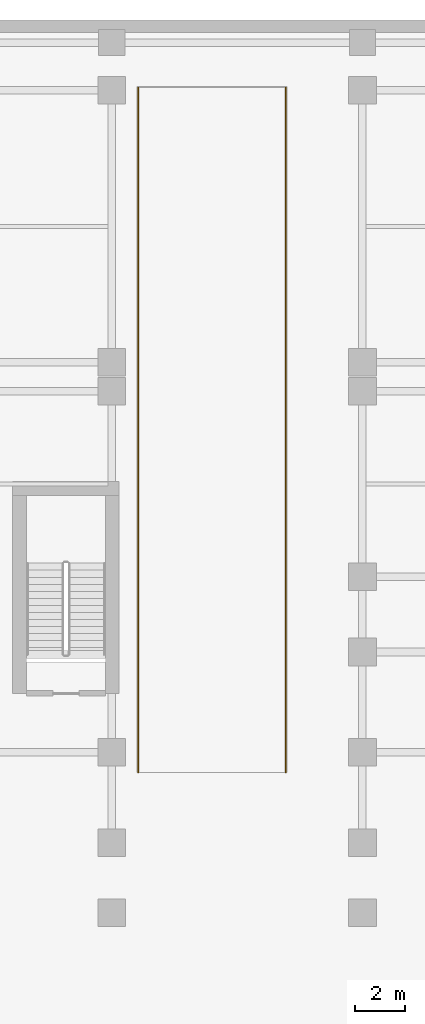
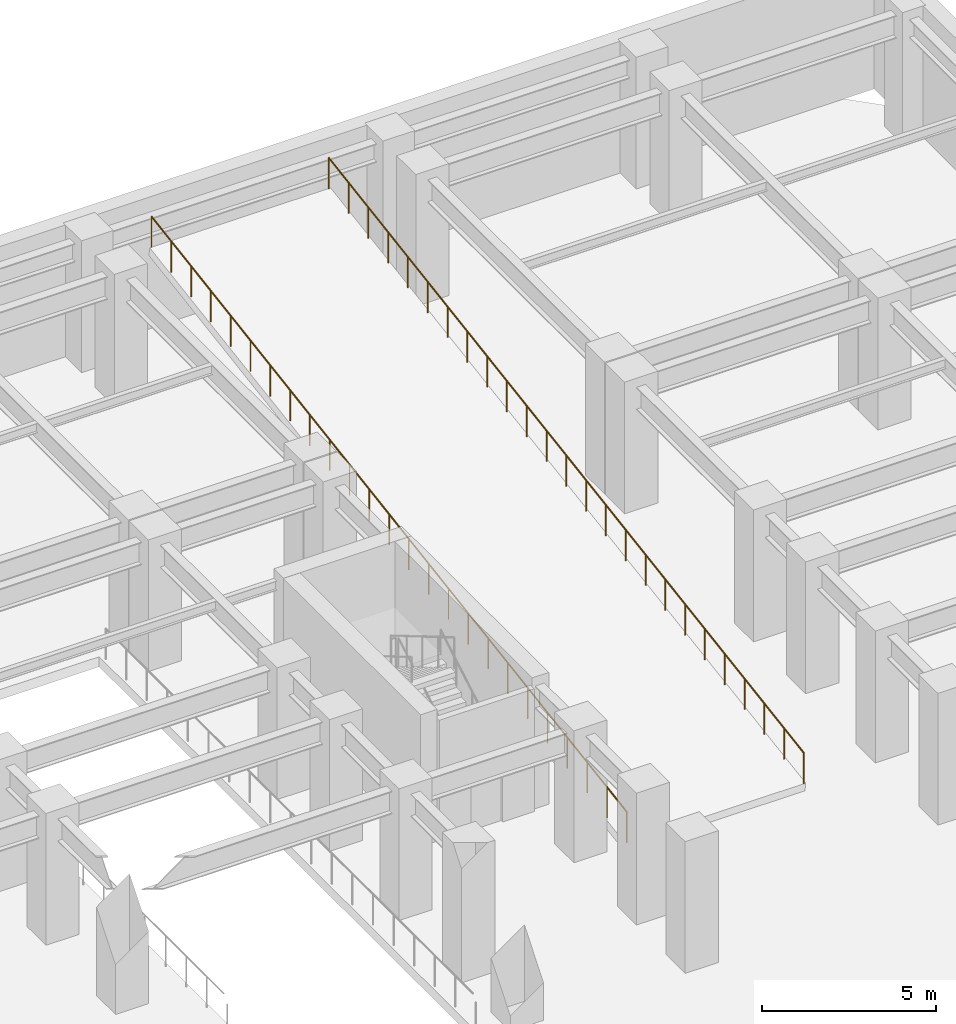
# One storey, part 12 of 12: 2 railings.
"""IFC4 building model written with IfcOpenShell, lengths in metres."""

from ifc_helpers import new_model, si_unit, direction, frame, origin, origin_2d, place, context, subcontext, project, spatial, circle, extrude, material, type_object, element, save


model = new_model("IFC4")

# Units and contexts
model_context = context("Model", 3, precision=1e-05, world=origin(), true_north=direction((0.0, 1.0)))
body_context = subcontext(model_context, "Body", "Model", "MODEL_VIEW")
ifc_project = project(units=[si_unit("LENGTHUNIT", "METRE"), si_unit("AREAUNIT", "SQUARE_METRE"), si_unit("VOLUMEUNIT", "CUBIC_METRE"), si_unit("PLANEANGLEUNIT", "RADIAN"), si_unit("MASSUNIT", "GRAM", prefix="KILO")], contexts=[model_context])

# Site, building, storey
site_placement = place(None, origin())
site = spatial("IfcSite", under=ifc_project, at=site_placement, CompositionType="ELEMENT")
building_placement = place(site_placement, origin())
building = spatial("IfcBuilding", under=site, at=building_placement, Name="Kefirva Bronze Tower", CompositionType="ELEMENT")
storey_placement = place(building_placement, frame((0.0, 0.0, -4.6201171875)))
storey = spatial("IfcBuildingStorey", under=building, at=storey_placement, Name="B1", CompositionType="ELEMENT", Elevation=-4.6201171875)

# Railings
ifc_material = material(Name="Stainless steel 316", Category="steel")
railing_type = type_object("IfcRailingType", Name="Interior Stair Guardrail 1100mm", PredefinedType="GUARDRAIL", material=ifc_material)
railing_1_placement = place(storey_placement, frame((56.260009765625, 18.0, 0.300048828125)))
element("IfcRailing", 1, at=railing_1_placement, inside=storey, type_object=railing_type, Name="B1 Sloped Exit Ramp West Guardrail", PredefinedType="GUARDRAIL", context=body_context, shape_type="SweptSolid", body=[
    extrude(circle(Radius=0.02392578125, at=origin_2d()), frame((0.0, 0.0, 1.076171875), z_axis=(0.0, 0.987709767029, 0.156299123846), x_axis=(-1.0, 0.0, 0.0)), (0.0, 0.0, 1.0), 27.6396484375),
    extrude(circle(Radius=0.02099609375, at=origin_2d()), origin(), (0.0, 0.0, 1.0), 1.052001953125),
    extrude(circle(Radius=0.02099609375, at=origin_2d()), frame((0.0, 1.137451171875, 0.179931640625)), (0.0, 0.0, 1.0), 1.052001953125),
    extrude(circle(Radius=0.02099609375, at=origin_2d()), frame((0.0, 2.27490234375, 0.360107421875)), (0.0, 0.0, 1.0), 1.052001953125),
    extrude(circle(Radius=0.02099609375, at=origin_2d()), frame((0.0, 3.41259765625, 0.5400390625)), (0.0, 0.0, 1.0), 1.052001953125),
    extrude(circle(Radius=0.02099609375, at=origin_2d()), frame((0.0, 4.550048828125, 0.719970703125)), (0.0, 0.0, 1.0), 1.052001953125),
    extrude(circle(Radius=0.02099609375, at=origin_2d()), frame((0.0, 5.6875, 0.89990234375)), (0.0, 0.0, 1.0), 1.052001953125),
    extrude(circle(Radius=0.02099609375, at=origin_2d()), frame((0.0, 6.824951171875, 1.080078125)), (0.0, 0.0, 1.0), 1.052001953125),
    extrude(circle(Radius=0.02099609375, at=origin_2d()), frame((0.0, 7.96240234375, 1.260009765625)), (0.0, 0.0, 1.0), 1.052001953125),
    extrude(circle(Radius=0.02099609375, at=origin_2d()), frame((0.0, 9.10009765625, 1.43994140625)), (0.0, 0.0, 1.0), 1.052001953125),
    extrude(circle(Radius=0.02099609375, at=origin_2d()), frame((0.0, 10.237548828125, 1.6201171875)), (0.0, 0.0, 1.0), 1.052001953125),
    extrude(circle(Radius=0.02099609375, at=origin_2d()), frame((0.0, 11.375, 1.800048828125)), (0.0, 0.0, 1.0), 1.052001953125),
    extrude(circle(Radius=0.02099609375, at=origin_2d()), frame((0.0, 12.512451171875, 1.97998046875)), (0.0, 0.0, 1.0), 1.052001953125),
    extrude(circle(Radius=0.02099609375, at=origin_2d()), frame((0.0, 13.64990234375, 2.16015625)), (0.0, 0.0, 1.0), 1.052001953125),
    extrude(circle(Radius=0.02099609375, at=origin_2d()), frame((0.0, 14.78759765625, 2.340087890625)), (0.0, 0.0, 1.0), 1.052001953125),
    extrude(circle(Radius=0.02099609375, at=origin_2d()), frame((0.0, 15.925048828125, 2.52001953125)), (0.0, 0.0, 1.0), 1.052001953125),
    extrude(circle(Radius=0.02099609375, at=origin_2d()), frame((0.0, 17.0625, 2.699951171875)), (0.0, 0.0, 1.0), 1.052001953125),
    extrude(circle(Radius=0.02099609375, at=origin_2d()), frame((0.0, 18.199951171875, 2.880126953125)), (0.0, 0.0, 1.0), 1.052001953125),
    extrude(circle(Radius=0.02099609375, at=origin_2d()), frame((0.0, 19.337646484375, 3.06005859375)), (0.0, 0.0, 1.0), 1.052001953125),
    extrude(circle(Radius=0.02099609375, at=origin_2d()), frame((0.0, 20.47509765625, 3.239990234375)), (0.0, 0.0, 1.0), 1.052001953125),
    extrude(circle(Radius=0.02099609375, at=origin_2d()), frame((0.0, 21.612548828125, 3.420166015625)), (0.0, 0.0, 1.0), 1.052001953125),
    extrude(circle(Radius=0.02099609375, at=origin_2d()), frame((0.0, 22.75, 3.60009765625)), (0.0, 0.0, 1.0), 1.052001953125),
    extrude(circle(Radius=0.02099609375, at=origin_2d()), frame((0.0, 23.887451171875, 3.780029296875)), (0.0, 0.0, 1.0), 1.052001953125),
    extrude(circle(Radius=0.02099609375, at=origin_2d()), frame((0.0, 25.025146484375, 3.9599609375)), (0.0, 0.0, 1.0), 1.052001953125),
    extrude(circle(Radius=0.02099609375, at=origin_2d()), frame((0.0, 26.16259765625, 4.14013671875)), (0.0, 0.0, 1.0), 1.052001953125),
    extrude(circle(Radius=0.02099609375, at=origin_2d()), frame((0.0, 27.300048828125, 4.320068359375)), (0.0, 0.0, 1.0), 1.052001953125),
])
railing_2_placement = place(storey_placement, frame((62.139892578125, 18.0, 0.300048828125)))
element("IfcRailing", 2, at=railing_2_placement, inside=storey, type_object=railing_type, Name="B1 Sloped Exit Ramp East Guardrail", PredefinedType="GUARDRAIL", context=body_context, shape_type="SweptSolid", body=[
    extrude(circle(Radius=0.02392578125, at=origin_2d()), frame((0.0, 0.0, 1.076171875), z_axis=(0.0, 0.987709767029, 0.156299123846), x_axis=(-1.0, 0.0, 0.0)), (0.0, 0.0, 1.0), 27.6396484375),
    extrude(circle(Radius=0.02099609375, at=origin_2d()), origin(), (0.0, 0.0, 1.0), 1.052001953125),
    extrude(circle(Radius=0.02099609375, at=origin_2d()), frame((0.0, 1.137451171875, 0.179931640625)), (0.0, 0.0, 1.0), 1.052001953125),
    extrude(circle(Radius=0.02099609375, at=origin_2d()), frame((0.0, 2.27490234375, 0.360107421875)), (0.0, 0.0, 1.0), 1.052001953125),
    extrude(circle(Radius=0.02099609375, at=origin_2d()), frame((0.0, 3.41259765625, 0.5400390625)), (0.0, 0.0, 1.0), 1.052001953125),
    extrude(circle(Radius=0.02099609375, at=origin_2d()), frame((0.0, 4.550048828125, 0.719970703125)), (0.0, 0.0, 1.0), 1.052001953125),
    extrude(circle(Radius=0.02099609375, at=origin_2d()), frame((0.0, 5.6875, 0.89990234375)), (0.0, 0.0, 1.0), 1.052001953125),
    extrude(circle(Radius=0.02099609375, at=origin_2d()), frame((0.0, 6.824951171875, 1.080078125)), (0.0, 0.0, 1.0), 1.052001953125),
    extrude(circle(Radius=0.02099609375, at=origin_2d()), frame((0.0, 7.96240234375, 1.260009765625)), (0.0, 0.0, 1.0), 1.052001953125),
    extrude(circle(Radius=0.02099609375, at=origin_2d()), frame((0.0, 9.10009765625, 1.43994140625)), (0.0, 0.0, 1.0), 1.052001953125),
    extrude(circle(Radius=0.02099609375, at=origin_2d()), frame((0.0, 10.237548828125, 1.6201171875)), (0.0, 0.0, 1.0), 1.052001953125),
    extrude(circle(Radius=0.02099609375, at=origin_2d()), frame((0.0, 11.375, 1.800048828125)), (0.0, 0.0, 1.0), 1.052001953125),
    extrude(circle(Radius=0.02099609375, at=origin_2d()), frame((0.0, 12.512451171875, 1.97998046875)), (0.0, 0.0, 1.0), 1.052001953125),
    extrude(circle(Radius=0.02099609375, at=origin_2d()), frame((0.0, 13.64990234375, 2.16015625)), (0.0, 0.0, 1.0), 1.052001953125),
    extrude(circle(Radius=0.02099609375, at=origin_2d()), frame((0.0, 14.78759765625, 2.340087890625)), (0.0, 0.0, 1.0), 1.052001953125),
    extrude(circle(Radius=0.02099609375, at=origin_2d()), frame((0.0, 15.925048828125, 2.52001953125)), (0.0, 0.0, 1.0), 1.052001953125),
    extrude(circle(Radius=0.02099609375, at=origin_2d()), frame((0.0, 17.0625, 2.699951171875)), (0.0, 0.0, 1.0), 1.052001953125),
    extrude(circle(Radius=0.02099609375, at=origin_2d()), frame((0.0, 18.199951171875, 2.880126953125)), (0.0, 0.0, 1.0), 1.052001953125),
    extrude(circle(Radius=0.02099609375, at=origin_2d()), frame((0.0, 19.337646484375, 3.06005859375)), (0.0, 0.0, 1.0), 1.052001953125),
    extrude(circle(Radius=0.02099609375, at=origin_2d()), frame((0.0, 20.47509765625, 3.239990234375)), (0.0, 0.0, 1.0), 1.052001953125),
    extrude(circle(Radius=0.02099609375, at=origin_2d()), frame((0.0, 21.612548828125, 3.420166015625)), (0.0, 0.0, 1.0), 1.052001953125),
    extrude(circle(Radius=0.02099609375, at=origin_2d()), frame((0.0, 22.75, 3.60009765625)), (0.0, 0.0, 1.0), 1.052001953125),
    extrude(circle(Radius=0.02099609375, at=origin_2d()), frame((0.0, 23.887451171875, 3.780029296875)), (0.0, 0.0, 1.0), 1.052001953125),
    extrude(circle(Radius=0.02099609375, at=origin_2d()), frame((0.0, 25.025146484375, 3.9599609375)), (0.0, 0.0, 1.0), 1.052001953125),
    extrude(circle(Radius=0.02099609375, at=origin_2d()), frame((0.0, 26.16259765625, 4.14013671875)), (0.0, 0.0, 1.0), 1.052001953125),
    extrude(circle(Radius=0.02099609375, at=origin_2d()), frame((0.0, 27.300048828125, 4.320068359375)), (0.0, 0.0, 1.0), 1.052001953125),
])

save(model, "model.ifc")
